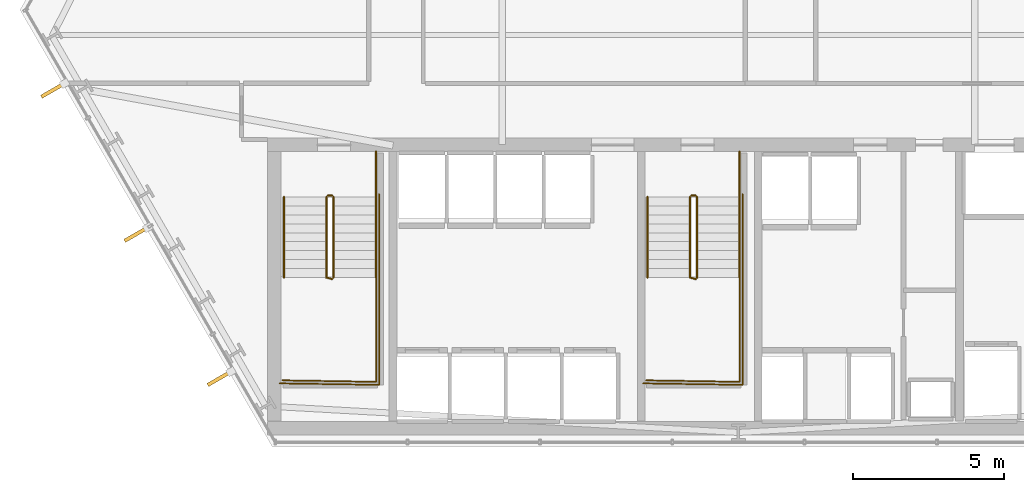
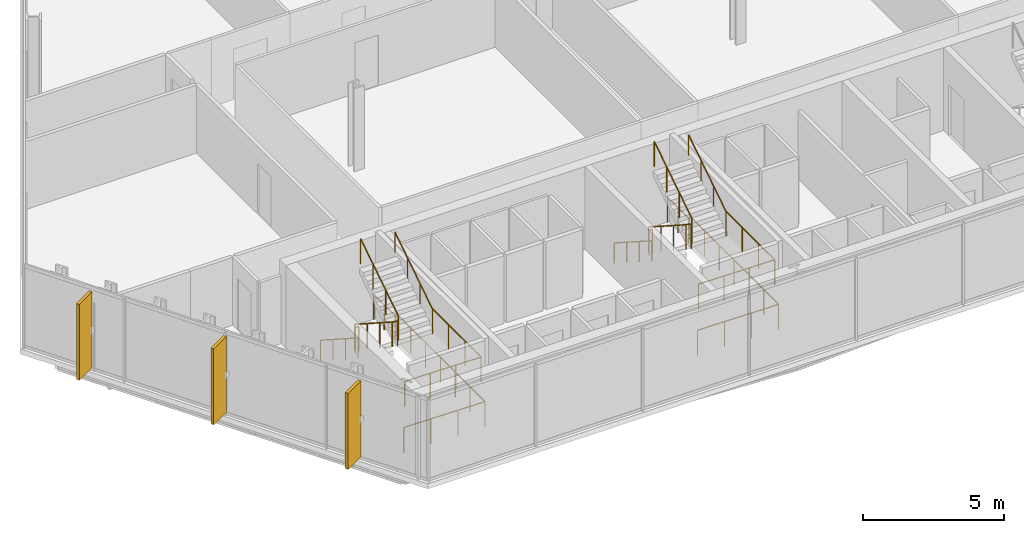
# One storey, part 30 of 33: 16 railings, 3 shading devices.
"""IFC4 building model written with IfcOpenShell, lengths in metres."""

from ifc_helpers import new_model, si_unit, direction, frame, origin, origin_2d, place, context, subcontext, project, spatial, rectangle, circle, extrude, material, layer, layer_set, type_object, element, save


model = new_model("IFC4")

# Units and contexts
model_context = context("Model", 3, precision=1e-05, world=origin(), true_north=direction((0.0, 1.0)))
body_context = subcontext(model_context, "Body", "Model", "MODEL_VIEW")
ifc_project = project(units=[si_unit("LENGTHUNIT", "METRE"), si_unit("AREAUNIT", "SQUARE_METRE"), si_unit("VOLUMEUNIT", "CUBIC_METRE"), si_unit("PLANEANGLEUNIT", "RADIAN"), si_unit("MASSUNIT", "GRAM", prefix="KILO")], contexts=[model_context])

# Site, building, storey
site_placement = place(None, origin())
site = spatial("IfcSite", under=ifc_project, at=site_placement, CompositionType="ELEMENT")
building_placement = place(site_placement, origin())
building = spatial("IfcBuilding", under=site, at=building_placement, Name="Ndaravel Arena Tower", CompositionType="ELEMENT")
storey_placement = place(building_placement, frame((0.0, 0.0, 36.0)))
storey = spatial("IfcBuildingStorey", under=building, at=storey_placement, Name="L06", CompositionType="ELEMENT", Elevation=36.0)

# Railings
ifc_material_1 = material(Name="Steel S355", Category="steel")
ifc_layer_1 = layer(ifc_material_1, 0.06005859375)
ifc_layer_set_1 = layer_set([ifc_layer_1], Name="Steel S355")
railing_type_1 = type_object("IfcRailingType", Name="RAIL-STAIR-GD1100", PredefinedType="GUARDRAIL", material=ifc_layer_set_1)
railing_1_placement = place(storey_placement, frame((28.39990234375, 13.25, 0.18994140625)))
element("IfcRailing", 1, at=railing_1_placement, inside=storey, type_object=railing_type_1, Name="L06 ST-1 stair guard 1", PredefinedType="GUARDRAIL", context=body_context, shape_type="SweptSolid", body=[
    extrude(circle(Radius=0.02392578125, at=origin_2d()), frame((0.0, 0.0, 1.076171875), z_axis=(0.0, -0.840723540582, 0.54146461409), x_axis=(1.0, 0.0, 0.0)), (0.0, 0.0, 1.0), 3.157958984375),
    extrude(circle(Radius=0.02392578125, at=origin_2d()), frame((0.0, -2.655029296875, 2.7861328125), z_axis=(0.967074537263, -0.25449329928, 0.0), x_axis=(0.25449329928, 0.967074537263, 0.0)), (0.0, 0.0, 1.0), 0.19677734375),
    extrude(circle(Radius=0.02099609375, at=origin_2d()), origin(), (0.0, 0.0, 1.0), 1.052001953125),
    extrude(circle(Radius=0.02099609375, at=origin_2d()), frame((0.0, -0.885009765625, 0.570068359375)), (0.0, 0.0, 1.0), 1.052001953125),
    extrude(circle(Radius=0.02099609375, at=origin_2d()), frame((0.0, -1.77001953125, 1.139892578125)), (0.0, 0.0, 1.0), 1.052001953125),
    extrude(circle(Radius=0.02099609375, at=origin_2d()), frame((0.0, -2.655029296875, 1.7099609375)), (0.0, 0.0, 1.0), 1.052001953125),
    extrude(circle(Radius=0.02099609375, at=origin_2d()), frame((0.190185546875, -2.705078125, 1.7099609375)), (0.0, 0.0, 1.0), 1.052001953125),
])
railing_2_placement = place(storey_placement, frame((30.0400390625, 10.594970703125, 1.89990234375)))
element("IfcRailing", 2, at=railing_2_placement, inside=storey, type_object=railing_type_1, Name="L06 ST-1 stair guard 2", PredefinedType="GUARDRAIL", context=body_context, shape_type="SweptSolid", body=[
    extrude(circle(Radius=0.02392578125, at=origin_2d()), frame((0.0, 0.0, 1.076171875), z_axis=(0.0, -1.0, 0.0), x_axis=(1.0, 0.0, 0.0)), (0.0, 0.0, 1.0), 3.445068359375),
    extrude(circle(Radius=0.02392578125, at=origin_2d()), frame((0.0, -3.445068359375, 1.076171875), z_axis=(-0.999868861343, 0.016194447071, 0.0), x_axis=(-0.016194447071, -0.999868861343, 0.0)), (0.0, 0.0, 1.0), 3.090576171875),
    extrude(circle(Radius=0.02099609375, at=origin_2d()), origin(), (0.0, 0.0, 1.0), 1.052001953125),
    extrude(circle(Radius=0.02099609375, at=origin_2d()), frame((0.0, -1.1484375, 0.0)), (0.0, 0.0, 1.0), 1.052001953125),
    extrude(circle(Radius=0.02099609375, at=origin_2d()), frame((0.0, -2.296630859375, 0.0)), (0.0, 0.0, 1.0), 1.052001953125),
    extrude(circle(Radius=0.02099609375, at=origin_2d()), frame((0.0, -3.445068359375, 0.0)), (0.0, 0.0, 1.0), 1.052001953125),
    extrude(circle(Radius=0.02099609375, at=origin_2d()), frame((-1.030029296875, -3.428466796875, 0.0)), (0.0, 0.0, 1.0), 1.052001953125),
    extrude(circle(Radius=0.02099609375, at=origin_2d()), frame((-2.06005859375, -3.41162109375, 0.0)), (0.0, 0.0, 1.0), 1.052001953125),
    extrude(circle(Radius=0.02099609375, at=origin_2d()), frame((-3.090087890625, -3.39501953125, 0.0)), (0.0, 0.0, 1.0), 1.052001953125),
])
railing_3_placement = place(storey_placement, frame((28.639892578125, 10.594970703125, 2.090087890625)))
element("IfcRailing", 3, at=railing_3_placement, inside=storey, type_object=railing_type_1, Name="L06 ST-1 stair guard 3", PredefinedType="GUARDRAIL", context=body_context, shape_type="SweptSolid", body=[
    extrude(circle(Radius=0.02392578125, at=origin_2d()), frame((0.0, 0.0, 1.076171875), z_axis=(0.0, 0.840723540582, 0.54146461409), x_axis=(-1.0, 0.0, 0.0)), (0.0, 0.0, 1.0), 3.157958984375),
    extrude(circle(Radius=0.02099609375, at=origin_2d()), origin(), (0.0, 0.0, 1.0), 1.052001953125),
    extrude(circle(Radius=0.02099609375, at=origin_2d()), frame((0.0, 0.885009765625, 0.570068359375)), (0.0, 0.0, 1.0), 1.052001953125),
    extrude(circle(Radius=0.02099609375, at=origin_2d()), frame((0.0, 1.77001953125, 1.139892578125)), (0.0, 0.0, 1.0), 1.052001953125),
    extrude(circle(Radius=0.02099609375, at=origin_2d()), frame((0.0, 2.655029296875, 1.7099609375)), (0.0, 0.0, 1.0), 1.052001953125),
])
railing_4_placement = place(storey_placement, frame((28.449951171875, 13.300048828125, 0.0)))
element("IfcRailing", 4, at=railing_4_placement, inside=storey, type_object=railing_type_1, Name="L06 ST-1 stair guard 4", PredefinedType="GUARDRAIL", context=body_context, shape_type="SweptSolid", body=[
    extrude(circle(Radius=0.02392578125, at=origin_2d()), frame((0.0, 0.0, 1.076171875), z_axis=(1.0, 0.0, 0.0), x_axis=(0.0, 1.0, 0.0)), (0.0, 0.0, 1.0), 0.14013671875),
    extrude(circle(Radius=0.02099609375, at=origin_2d()), origin(), (0.0, 0.0, 1.0), 1.052001953125),
    extrude(circle(Radius=0.02099609375, at=origin_2d()), frame((0.14013671875, 0.0, 0.0)), (0.0, 0.0, 1.0), 1.052001953125),
])
railing_5_placement = place(storey_placement, frame((30.0400390625, 14.75, 0.0)))
element("IfcRailing", 5, at=railing_5_placement, inside=storey, type_object=railing_type_1, Name="L06 ST-1 stair guard 5", PredefinedType="GUARDRAIL", context=body_context, shape_type="SweptSolid", body=[
    extrude(circle(Radius=0.02392578125, at=origin_2d()), frame((0.0, 0.0, 1.076171875), z_axis=(0.0, -1.0, 0.0), x_axis=(1.0, 0.0, 0.0)), (0.0, 0.0, 1.0), 1.5),
    extrude(circle(Radius=0.02099609375, at=origin_2d()), origin(), (0.0, 0.0, 1.0), 1.052001953125),
    extrude(circle(Radius=0.02099609375, at=origin_2d()), frame((0.0, -0.75, 0.0)), (0.0, 0.0, 1.0), 1.052001953125),
    extrude(circle(Radius=0.02099609375, at=origin_2d()), frame((0.0, -1.5, 0.0)), (0.0, 0.0, 1.0), 1.052001953125),
])
railing_6_placement = place(storey_placement, frame((30.139892578125, 13.35009765625, 0.0)))
element("IfcRailing", 6, at=railing_6_placement, inside=storey, type_object=railing_type_1, Name="L06 ST-1 stair guard 6", PredefinedType="GUARDRAIL", context=body_context, shape_type="SweptSolid", body=[
    extrude(circle(Radius=0.02392578125, at=origin_2d()), frame((0.0, 0.0, 1.076171875), z_axis=(0.0, -1.0, 0.0), x_axis=(1.0, 0.0, 0.0)), (0.0, 0.0, 1.0), 6.300048828125),
    extrude(circle(Radius=0.02392578125, at=origin_2d()), frame((0.0, -6.300048828125, 1.076171875), z_axis=(-0.999884296952, 0.015211597839, 0.0), x_axis=(-0.015211597839, -0.999884296952, 0.0)), (0.0, 0.0, 1.0), 3.290283203125),
    extrude(circle(Radius=0.02099609375, at=origin_2d()), origin(), (0.0, 0.0, 1.0), 1.052001953125),
    extrude(circle(Radius=0.02099609375, at=origin_2d()), frame((0.0, -1.050048828125, 0.0)), (0.0, 0.0, 1.0), 1.052001953125),
    extrude(circle(Radius=0.02099609375, at=origin_2d()), frame((0.0, -2.10009765625, 0.0)), (0.0, 0.0, 1.0), 1.052001953125),
    extrude(circle(Radius=0.02099609375, at=origin_2d()), frame((0.0, -3.14990234375, 0.0)), (0.0, 0.0, 1.0), 1.052001953125),
    extrude(circle(Radius=0.02099609375, at=origin_2d()), frame((0.0, -4.199951171875, 0.0)), (0.0, 0.0, 1.0), 1.052001953125),
    extrude(circle(Radius=0.02099609375, at=origin_2d()), frame((0.0, -5.25, 0.0)), (0.0, 0.0, 1.0), 1.052001953125),
    extrude(circle(Radius=0.02099609375, at=origin_2d()), frame((0.0, -6.300048828125, 0.0)), (0.0, 0.0, 1.0), 1.052001953125),
    extrude(circle(Radius=0.02099609375, at=origin_2d()), frame((-1.0966796875, -6.283447265625, 0.0)), (0.0, 0.0, 1.0), 1.052001953125),
    extrude(circle(Radius=0.02099609375, at=origin_2d()), frame((-2.193115234375, -6.2666015625, 0.0)), (0.0, 0.0, 1.0), 1.052001953125),
    extrude(circle(Radius=0.02099609375, at=origin_2d()), frame((-3.289794921875, -6.25, 0.0)), (0.0, 0.0, 1.0), 1.052001953125),
])
railing_7_placement = place(storey_placement, frame((40.39990234375, 13.25, 0.18994140625)))
element("IfcRailing", 7, at=railing_7_placement, inside=storey, type_object=railing_type_1, Name="L06 ST-2 stair guard 1", PredefinedType="GUARDRAIL", context=body_context, shape_type="SweptSolid", body=[
    extrude(circle(Radius=0.02392578125, at=origin_2d()), frame((0.0, 0.0, 1.076171875), z_axis=(0.0, -0.840723540582, 0.54146461409), x_axis=(1.0, 0.0, 0.0)), (0.0, 0.0, 1.0), 3.157958984375),
    extrude(circle(Radius=0.02392578125, at=origin_2d()), frame((0.0, -2.655029296875, 2.7861328125), z_axis=(0.967074537263, -0.25449329928, 0.0), x_axis=(0.25449329928, 0.967074537263, 0.0)), (0.0, 0.0, 1.0), 0.19677734375),
    extrude(circle(Radius=0.02099609375, at=origin_2d()), origin(), (0.0, 0.0, 1.0), 1.052001953125),
    extrude(circle(Radius=0.02099609375, at=origin_2d()), frame((0.0, -0.885009765625, 0.570068359375)), (0.0, 0.0, 1.0), 1.052001953125),
    extrude(circle(Radius=0.02099609375, at=origin_2d()), frame((0.0, -1.77001953125, 1.139892578125)), (0.0, 0.0, 1.0), 1.052001953125),
    extrude(circle(Radius=0.02099609375, at=origin_2d()), frame((0.0, -2.655029296875, 1.7099609375)), (0.0, 0.0, 1.0), 1.052001953125),
    extrude(circle(Radius=0.02099609375, at=origin_2d()), frame((0.190185546875, -2.705078125, 1.7099609375)), (0.0, 0.0, 1.0), 1.052001953125),
])
railing_8_placement = place(storey_placement, frame((42.0400390625, 10.594970703125, 1.89990234375)))
element("IfcRailing", 8, at=railing_8_placement, inside=storey, type_object=railing_type_1, Name="L06 ST-2 stair guard 2", PredefinedType="GUARDRAIL", context=body_context, shape_type="SweptSolid", body=[
    extrude(circle(Radius=0.02392578125, at=origin_2d()), frame((0.0, 0.0, 1.076171875), z_axis=(0.0, -1.0, 0.0), x_axis=(1.0, 0.0, 0.0)), (0.0, 0.0, 1.0), 3.445068359375),
    extrude(circle(Radius=0.02392578125, at=origin_2d()), frame((0.0, -3.445068359375, 1.076171875), z_axis=(-0.999868861343, 0.016194447071, 0.0), x_axis=(-0.016194447071, -0.999868861343, 0.0)), (0.0, 0.0, 1.0), 3.090576171875),
    extrude(circle(Radius=0.02099609375, at=origin_2d()), origin(), (0.0, 0.0, 1.0), 1.052001953125),
    extrude(circle(Radius=0.02099609375, at=origin_2d()), frame((0.0, -1.1484375, 0.0)), (0.0, 0.0, 1.0), 1.052001953125),
    extrude(circle(Radius=0.02099609375, at=origin_2d()), frame((0.0, -2.296630859375, 0.0)), (0.0, 0.0, 1.0), 1.052001953125),
    extrude(circle(Radius=0.02099609375, at=origin_2d()), frame((0.0, -3.445068359375, 0.0)), (0.0, 0.0, 1.0), 1.052001953125),
    extrude(circle(Radius=0.02099609375, at=origin_2d()), frame((-1.030029296875, -3.428466796875, 0.0)), (0.0, 0.0, 1.0), 1.052001953125),
    extrude(circle(Radius=0.02099609375, at=origin_2d()), frame((-2.06005859375, -3.41162109375, 0.0)), (0.0, 0.0, 1.0), 1.052001953125),
    extrude(circle(Radius=0.02099609375, at=origin_2d()), frame((-3.090087890625, -3.39501953125, 0.0)), (0.0, 0.0, 1.0), 1.052001953125),
])
railing_9_placement = place(storey_placement, frame((40.639892578125, 10.594970703125, 2.090087890625)))
element("IfcRailing", 9, at=railing_9_placement, inside=storey, type_object=railing_type_1, Name="L06 ST-2 stair guard 3", PredefinedType="GUARDRAIL", context=body_context, shape_type="SweptSolid", body=[
    extrude(circle(Radius=0.02392578125, at=origin_2d()), frame((0.0, 0.0, 1.076171875), z_axis=(0.0, 0.840723540582, 0.54146461409), x_axis=(-1.0, 0.0, 0.0)), (0.0, 0.0, 1.0), 3.157958984375),
    extrude(circle(Radius=0.02099609375, at=origin_2d()), origin(), (0.0, 0.0, 1.0), 1.052001953125),
    extrude(circle(Radius=0.02099609375, at=origin_2d()), frame((0.0, 0.885009765625, 0.570068359375)), (0.0, 0.0, 1.0), 1.052001953125),
    extrude(circle(Radius=0.02099609375, at=origin_2d()), frame((0.0, 1.77001953125, 1.139892578125)), (0.0, 0.0, 1.0), 1.052001953125),
    extrude(circle(Radius=0.02099609375, at=origin_2d()), frame((0.0, 2.655029296875, 1.7099609375)), (0.0, 0.0, 1.0), 1.052001953125),
])
railing_10_placement = place(storey_placement, frame((40.449951171875, 13.300048828125, 0.0)))
element("IfcRailing", 10, at=railing_10_placement, inside=storey, type_object=railing_type_1, Name="L06 ST-2 stair guard 4", PredefinedType="GUARDRAIL", context=body_context, shape_type="SweptSolid", body=[
    extrude(circle(Radius=0.02392578125, at=origin_2d()), frame((0.0, 0.0, 1.076171875), z_axis=(1.0, 0.0, 0.0), x_axis=(0.0, 1.0, 0.0)), (0.0, 0.0, 1.0), 0.14013671875),
    extrude(circle(Radius=0.02099609375, at=origin_2d()), origin(), (0.0, 0.0, 1.0), 1.052001953125),
    extrude(circle(Radius=0.02099609375, at=origin_2d()), frame((0.14013671875, 0.0, 0.0)), (0.0, 0.0, 1.0), 1.052001953125),
])
railing_11_placement = place(storey_placement, frame((42.0400390625, 14.75, 0.0)))
element("IfcRailing", 11, at=railing_11_placement, inside=storey, type_object=railing_type_1, Name="L06 ST-2 stair guard 5", PredefinedType="GUARDRAIL", context=body_context, shape_type="SweptSolid", body=[
    extrude(circle(Radius=0.02392578125, at=origin_2d()), frame((0.0, 0.0, 1.076171875), z_axis=(0.0, -1.0, 0.0), x_axis=(1.0, 0.0, 0.0)), (0.0, 0.0, 1.0), 1.5),
    extrude(circle(Radius=0.02099609375, at=origin_2d()), origin(), (0.0, 0.0, 1.0), 1.052001953125),
    extrude(circle(Radius=0.02099609375, at=origin_2d()), frame((0.0, -0.75, 0.0)), (0.0, 0.0, 1.0), 1.052001953125),
    extrude(circle(Radius=0.02099609375, at=origin_2d()), frame((0.0, -1.5, 0.0)), (0.0, 0.0, 1.0), 1.052001953125),
])
railing_12_placement = place(storey_placement, frame((42.139892578125, 13.35009765625, 0.0)))
element("IfcRailing", 12, at=railing_12_placement, inside=storey, type_object=railing_type_1, Name="L06 ST-2 stair guard 6", PredefinedType="GUARDRAIL", context=body_context, shape_type="SweptSolid", body=[
    extrude(circle(Radius=0.02392578125, at=origin_2d()), frame((0.0, 0.0, 1.076171875), z_axis=(0.0, -1.0, 0.0), x_axis=(1.0, 0.0, 0.0)), (0.0, 0.0, 1.0), 6.300048828125),
    extrude(circle(Radius=0.02392578125, at=origin_2d()), frame((0.0, -6.300048828125, 1.076171875), z_axis=(-0.999884296952, 0.015211597839, 0.0), x_axis=(-0.015211597839, -0.999884296952, 0.0)), (0.0, 0.0, 1.0), 3.290283203125),
    extrude(circle(Radius=0.02099609375, at=origin_2d()), origin(), (0.0, 0.0, 1.0), 1.052001953125),
    extrude(circle(Radius=0.02099609375, at=origin_2d()), frame((0.0, -1.050048828125, 0.0)), (0.0, 0.0, 1.0), 1.052001953125),
    extrude(circle(Radius=0.02099609375, at=origin_2d()), frame((0.0, -2.10009765625, 0.0)), (0.0, 0.0, 1.0), 1.052001953125),
    extrude(circle(Radius=0.02099609375, at=origin_2d()), frame((0.0, -3.14990234375, 0.0)), (0.0, 0.0, 1.0), 1.052001953125),
    extrude(circle(Radius=0.02099609375, at=origin_2d()), frame((0.0, -4.199951171875, 0.0)), (0.0, 0.0, 1.0), 1.052001953125),
    extrude(circle(Radius=0.02099609375, at=origin_2d()), frame((0.0, -5.25, 0.0)), (0.0, 0.0, 1.0), 1.052001953125),
    extrude(circle(Radius=0.02099609375, at=origin_2d()), frame((0.0, -6.300048828125, 0.0)), (0.0, 0.0, 1.0), 1.052001953125),
    extrude(circle(Radius=0.02099609375, at=origin_2d()), frame((-1.0966796875, -6.283447265625, 0.0)), (0.0, 0.0, 1.0), 1.052001953125),
    extrude(circle(Radius=0.02099609375, at=origin_2d()), frame((-2.193115234375, -6.2666015625, 0.0)), (0.0, 0.0, 1.0), 1.052001953125),
    extrude(circle(Radius=0.02099609375, at=origin_2d()), frame((-3.289794921875, -6.25, 0.0)), (0.0, 0.0, 1.0), 1.052001953125),
])
ifc_material_2 = material(Name="Steel S355", Category="steel")
ifc_layer_2 = layer(ifc_material_2, 0.050048828125)
ifc_layer_set_2 = layer_set([ifc_layer_2], Name="Steel S355")
railing_type_2 = type_object("IfcRailingType", Name="RAIL-STAIR-HR920", PredefinedType="HANDRAIL", material=ifc_layer_set_2)
railing_13_placement = place(storey_placement, frame((27.0, 13.25, 0.18994140625)))
element("IfcRailing", 13, at=railing_13_placement, inside=storey, type_object=railing_type_2, Name="L06 ST-1 stair handrail 1", PredefinedType="HANDRAIL", context=body_context, shape_type="SweptSolid", body=[
    extrude(circle(Radius=0.02392578125, at=origin_2d()), frame((0.0, 0.0, 0.8759765625), z_axis=(0.0, -0.840723540582, 0.54146461409), x_axis=(1.0, 0.0, 0.0)), (0.0, 0.0, 1.0), 3.157958984375),
    extrude(circle(Radius=0.02099609375, at=origin_2d()), origin(), (0.0, 0.0, 1.0), 0.851806640625),
    extrude(circle(Radius=0.02099609375, at=origin_2d()), frame((0.0, -0.885009765625, 0.570068359375)), (0.0, 0.0, 1.0), 0.851806640625),
    extrude(circle(Radius=0.02099609375, at=origin_2d()), frame((0.0, -1.77001953125, 1.139892578125)), (0.0, 0.0, 1.0), 0.851806640625),
    extrude(circle(Radius=0.02099609375, at=origin_2d()), frame((0.0, -2.655029296875, 1.7099609375)), (0.0, 0.0, 1.0), 0.851806640625),
])
railing_14_placement = place(storey_placement, frame((30.0400390625, 10.594970703125, 2.090087890625)))
element("IfcRailing", 14, at=railing_14_placement, inside=storey, type_object=railing_type_2, Name="L06 ST-1 stair handrail 2", PredefinedType="HANDRAIL", context=body_context, shape_type="SweptSolid", body=[
    extrude(circle(Radius=0.02392578125, at=origin_2d()), frame((0.0, 0.0, 0.8759765625), z_axis=(0.0, 0.840723540582, 0.54146461409), x_axis=(-1.0, 0.0, 0.0)), (0.0, 0.0, 1.0), 3.157958984375),
    extrude(circle(Radius=0.02099609375, at=origin_2d()), origin(), (0.0, 0.0, 1.0), 0.851806640625),
    extrude(circle(Radius=0.02099609375, at=origin_2d()), frame((0.0, 0.885009765625, 0.570068359375)), (0.0, 0.0, 1.0), 0.851806640625),
    extrude(circle(Radius=0.02099609375, at=origin_2d()), frame((0.0, 1.77001953125, 1.139892578125)), (0.0, 0.0, 1.0), 0.851806640625),
    extrude(circle(Radius=0.02099609375, at=origin_2d()), frame((0.0, 2.655029296875, 1.7099609375)), (0.0, 0.0, 1.0), 0.851806640625),
])
railing_15_placement = place(storey_placement, frame((39.0, 13.25, 0.18994140625)))
element("IfcRailing", 15, at=railing_15_placement, inside=storey, type_object=railing_type_2, Name="L06 ST-2 stair handrail 1", PredefinedType="HANDRAIL", context=body_context, shape_type="SweptSolid", body=[
    extrude(circle(Radius=0.02392578125, at=origin_2d()), frame((0.0, 0.0, 0.8759765625), z_axis=(0.0, -0.840723540582, 0.54146461409), x_axis=(1.0, 0.0, 0.0)), (0.0, 0.0, 1.0), 3.157958984375),
    extrude(circle(Radius=0.02099609375, at=origin_2d()), origin(), (0.0, 0.0, 1.0), 0.851806640625),
    extrude(circle(Radius=0.02099609375, at=origin_2d()), frame((0.0, -0.885009765625, 0.570068359375)), (0.0, 0.0, 1.0), 0.851806640625),
    extrude(circle(Radius=0.02099609375, at=origin_2d()), frame((0.0, -1.77001953125, 1.139892578125)), (0.0, 0.0, 1.0), 0.851806640625),
    extrude(circle(Radius=0.02099609375, at=origin_2d()), frame((0.0, -2.655029296875, 1.7099609375)), (0.0, 0.0, 1.0), 0.851806640625),
])
railing_16_placement = place(storey_placement, frame((42.0400390625, 10.594970703125, 2.090087890625)))
element("IfcRailing", 16, at=railing_16_placement, inside=storey, type_object=railing_type_2, Name="L06 ST-2 stair handrail 2", PredefinedType="HANDRAIL", context=body_context, shape_type="SweptSolid", body=[
    extrude(circle(Radius=0.02392578125, at=origin_2d()), frame((0.0, 0.0, 0.8759765625), z_axis=(0.0, 0.840723540582, 0.54146461409), x_axis=(-1.0, 0.0, 0.0)), (0.0, 0.0, 1.0), 3.157958984375),
    extrude(circle(Radius=0.02099609375, at=origin_2d()), origin(), (0.0, 0.0, 1.0), 0.851806640625),
    extrude(circle(Radius=0.02099609375, at=origin_2d()), frame((0.0, 0.885009765625, 0.570068359375)), (0.0, 0.0, 1.0), 0.851806640625),
    extrude(circle(Radius=0.02099609375, at=origin_2d()), frame((0.0, 1.77001953125, 1.139892578125)), (0.0, 0.0, 1.0), 0.851806640625),
    extrude(circle(Radius=0.02099609375, at=origin_2d()), frame((0.0, 2.655029296875, 1.7099609375)), (0.0, 0.0, 1.0), 0.851806640625),
])

# Shading devices
ifc_material_3 = material(Name="Masonry", Category="masonry")
shading_device_type = type_object("IfcShadingDeviceType", Name="SHD-MAZERAS-FIN", PredefinedType="SHUTTER", material=ifc_material_3)
for number, where, z_axis, x_axis, name in (
    (17, (19.3837890625, 16.78466796875, 0.14990234375), (0.0, 0.0, 1.0), (-0.866025403784, -0.5, 0.0), "L06 Mazeras Stone Solar Fin E6.1"),
    (18, (22.1298828125, 12.028076171875, 0.14990234375), (0.0, 0.0, 1.0), (-0.866025403784, -0.5, 0.0), "L06 Mazeras Stone Solar Fin E6.2"),
    (19, (24.876220703125, 7.271240234375, 0.14990234375), (0.0, 0.0, 1.0), (-0.866025403784, -0.5, 0.0), "L06 Mazeras Stone Solar Fin E6.3"),
):
    element("IfcShadingDevice", number, at=place(storey_placement, frame(where, z_axis=z_axis, x_axis=x_axis)), inside=storey, type_object=shading_device_type, Name=name, PredefinedType="SHUTTER", context=body_context, shape_type="SweptSolid", body=[
        extrude(rectangle(XDim=0.89990234375, YDim=0.1201171875, at=origin_2d()), origin(), (0.0, 0.0, 1.0), 3.280029296875),
    ])

save(model, "model.ifc")
